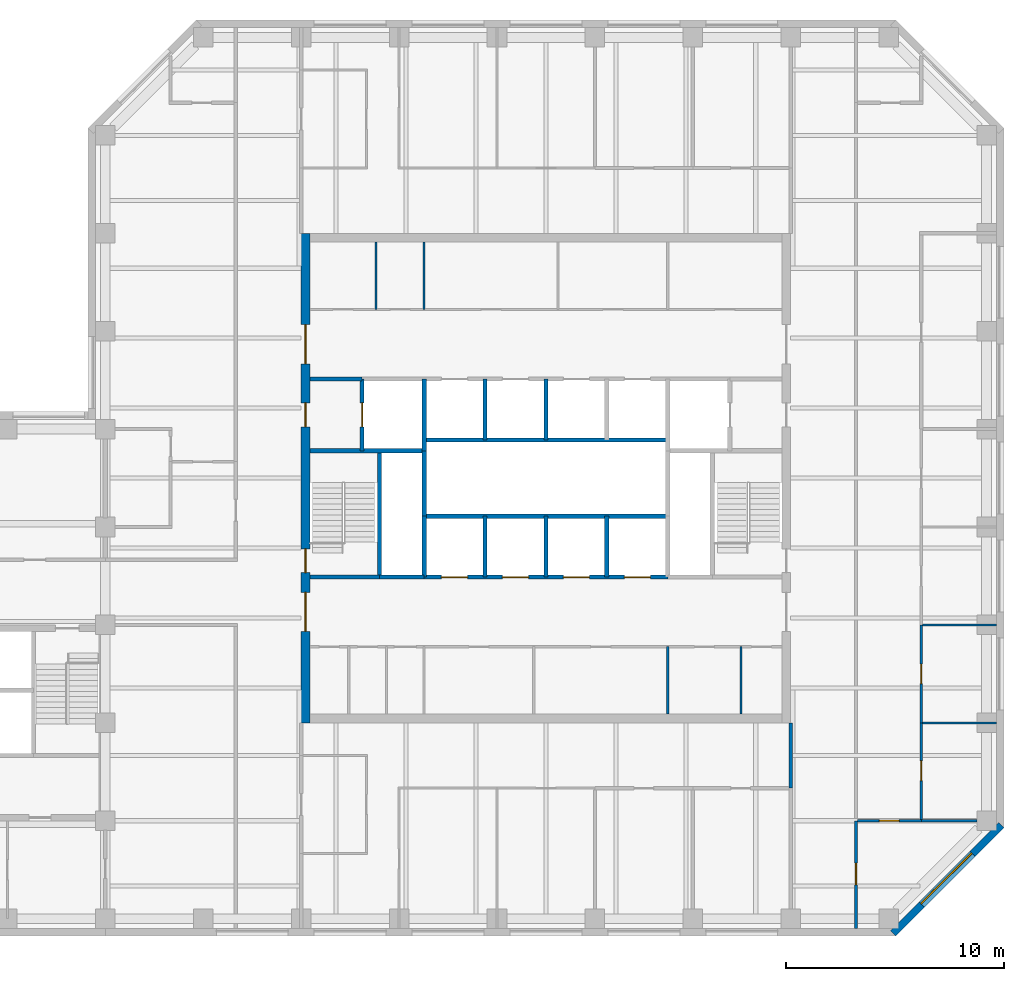
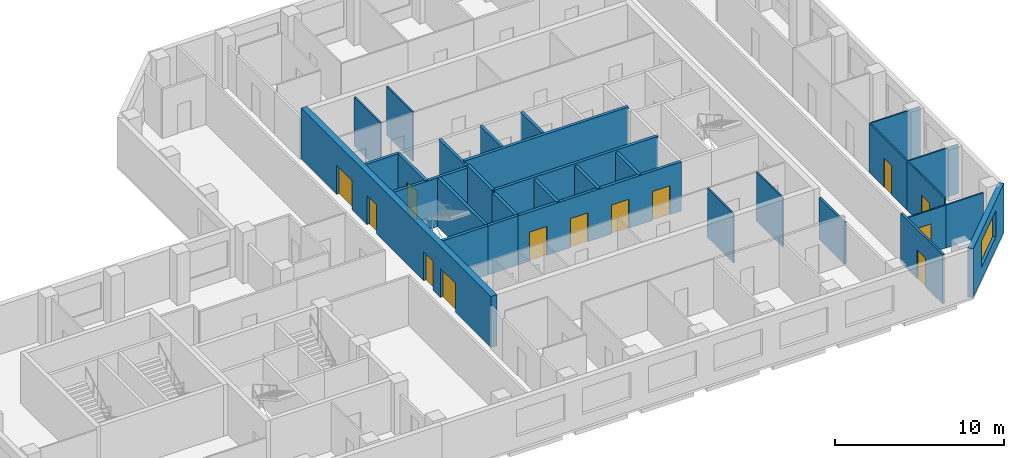
# One storey, part 5 of 9: 31 walls, 13 doors, 1 window, 14 openings.
"""IFC4 building model written with IfcOpenShell, lengths in metres."""

from ifc_helpers import new_model, si_unit, direction, frame, frame_2d, origin, place, context, subcontext, project, spatial, rectangle, extrude, material, layer, layer_set, constituent, constituent_set, type_object, element, fill, save


model = new_model("IFC4")

# Units and contexts
model_context = context("Model", 3, precision=1e-05, world=origin(), true_north=direction((0.0, 1.0)))
body_context = subcontext(model_context, "Body", "Model", "MODEL_VIEW")
ifc_project = project(units=[si_unit("LENGTHUNIT", "METRE"), si_unit("AREAUNIT", "SQUARE_METRE"), si_unit("VOLUMEUNIT", "CUBIC_METRE"), si_unit("PLANEANGLEUNIT", "RADIAN"), si_unit("MASSUNIT", "GRAM", prefix="KILO")], contexts=[model_context])

# Site, building, storey
site_placement = place(None, origin())
site = spatial("IfcSite", under=ifc_project, at=site_placement, CompositionType="ELEMENT")
building_placement = place(site_placement, origin())
building = spatial("IfcBuilding", under=site, at=building_placement, Name="Quoin Convention Tower", CompositionType="ELEMENT")
storey_placement = place(building_placement, frame((0.0, 0.0, 151.39990234375)))
storey = spatial("IfcBuildingStorey", under=building, at=storey_placement, Name="L39", CompositionType="ELEMENT", Elevation=151.39990234375)

# Wall, opening, window
ifc_material_1 = material(Name="Brick masonry", Category="masonry")
ifc_layer_1 = layer(ifc_material_1, 0.35009765625)
ifc_layer_set_1 = layer_set([ifc_layer_1], Name="Brick masonry")
wall_type_1 = type_object("IfcWallType", Name="Brick facade wall", PredefinedType="STANDARD", material=ifc_layer_set_1)
wall_1_placement = place(storey_placement, frame((72.20751953125, 39.82373046875, 0.0), z_axis=(0.0, 0.0, 1.0), x_axis=(0.707106781187, 0.707106781187, 0.0)))
wall_1 = element("IfcWall", 1, at=wall_1_placement, inside=storey, type_object=wall_type_1, Name="fw-L39-72000_40500", PredefinedType="STANDARD", context=body_context, shape_type="SweptSolid", body=[
    extrude(rectangle(XDim=7.02685546875, YDim=0.35009765625, at=frame_2d((3.513427734375, 0.0))), origin(), (0.0, 0.0, 1.0), 3.525146484375),
])
opening_1_placement = place(wall_1_placement, frame((1.86328125, 0.0, 0.89990234375)))
opening_1 = element("IfcOpeningElement", 2, at=opening_1_placement, cuts=wall_1, Name="Opening W-02", PredefinedType="OPENING", context=body_context, shape_type="SweptSolid", body=[
    extrude(rectangle(XDim=3.300048828125, YDim=1.89990234375, at=frame_2d((1.64990234375, 0.949951171875))), frame((0.0, 0.18505859375, 0.0), z_axis=(0.0, -1.0, 0.0), x_axis=(1.0, 0.0, 0.0)), (0.0, 0.0, 1.0), 0.3701171875),
])
ifc_material_2 = material(Name="Aluminium", Category="aluminium")
ifc_constituent_1 = constituent(ifc_material_2, Name="Frame")
ifc_material_3 = material(Name="Insulated glass", Category="glass")
ifc_constituent_2 = constituent(ifc_material_3, Name="Glazing")
ifc_constituent_set = constituent_set(constituents=[ifc_constituent_1, ifc_constituent_2], Name="Aluminium")
window_type = type_object("IfcWindowType", Name="Office window", PartitioningType="DOUBLE_PANEL_VERTICAL", PredefinedType="WINDOW", material=ifc_constituent_set)
window_placement = place(opening_1_placement, origin())
window = element("IfcWindow", 3, at=window_placement, inside=storey, type_object=window_type, Name="win-L39-74692_42308", OverallHeight=1.89990234375, OverallWidth=3.300048828125, PartitioningType="SINGLE_PANEL", PredefinedType="WINDOW", context=body_context, shape_type="SweptSolid", body=[
    extrude(rectangle(XDim=3.300048828125, YDim=1.89990234375, at=frame_2d((1.64990234375, 0.949951171875))), frame((0.0, 0.0849609375, 0.0), z_axis=(0.0, -1.0, 0.0), x_axis=(1.0, 0.0, 0.0)), (0.0, 0.0, 1.0), 0.06005859375),
])
fill(opening_1, window)

# Walls
ifc_material_4 = material(Name="Plasterboard")
ifc_layer_2 = layer(ifc_material_4, 0.012451171875, Name="Finish")
ifc_material_5 = material(Name="Steel stud framing", Category="steel")
ifc_layer_3 = layer(ifc_material_5, 0.074951171875, Name="Structure")
ifc_layer_4 = layer(ifc_material_4, 0.012451171875, Name="Finish")
ifc_layer_set_2 = layer_set([ifc_layer_2, ifc_layer_3, ifc_layer_4], Name="Steel stud framing")
wall_type_2 = type_object("IfcWallType", Name="Core partition wall", PredefinedType="PARTITIONING", material=ifc_layer_set_2)
for number, where, z_axis, x_axis, name in (
    (4, (48.445068359375, 68.5, 0.0), (0.0, 0.0, 1.0), (0.0, 1.0, 0.0), "cr-C1-L39-v3445_19000"),
    (5, (50.64990234375, 68.5, 0.0), (0.0, 0.0, 1.0), (0.0, 1.0, 0.0), "cr-C1-L39-v5650_19000"),
    (6, (61.85009765625, 49.89990234375, 0.0), (0.0, 0.0, 1.0), (0.0, 1.0, 0.0), "cr-C1-L39-v16850_400"),
    (7, (65.2099609375, 49.89990234375, 0.0), (0.0, 0.0, 1.0), (0.0, 1.0, 0.0), "cr-C1-L39-v20210_400"),
):
    element("IfcWall", number, at=place(storey_placement, frame(where, z_axis=z_axis, x_axis=x_axis)), inside=storey, type_object=wall_type_2, Name=name, PredefinedType="PARTITIONING", context=body_context, shape_type="SweptSolid", body=[
        extrude(rectangle(XDim=3.10009765625, YDim=0.10009765625, at=frame_2d((1.550048828125, 0.0))), origin(), (0.0, 0.0, 1.0), 3.550048828125),
    ])
ifc_material_6 = material(Name="Concrete C50", Category="concrete")
ifc_layer_5 = layer(ifc_material_6, 0.199951171875)
ifc_layer_set_3 = layer_set([ifc_layer_5], Name="Concrete C50")
wall_type_3 = type_object("IfcWallType", Name="Core shaft wall", PredefinedType="SOLIDWALL", material=ifc_layer_set_3)
wall_2_placement = place(storey_placement, frame((48.60009765625, 56.199951171875, 0.0), z_axis=(0.0, 0.0, 1.0), x_axis=(1.0, 0.0, 0.0)))
element("IfcWall", 8, at=wall_2_placement, inside=storey, type_object=wall_type_3, Name="cr-C1-L39-h6700_3600", PredefinedType="SOLIDWALL", context=body_context, shape_type="SweptSolid", body=[
    extrude(rectangle(XDim=2.0498046875, YDim=0.199951171875, at=frame_2d((1.02490234375, 0.0))), origin(), (0.0, 0.0, 1.0), 3.550048828125),
])
wall_3_placement = place(storey_placement, frame((45.39990234375, 56.199951171875, 0.0), z_axis=(0.0, 0.0, 1.0), x_axis=(1.0, 0.0, 0.0)))
element("IfcWall", 9, at=wall_3_placement, inside=storey, type_object=wall_type_3, Name="cr-C1-L39-h6700_400", PredefinedType="SOLIDWALL", context=body_context, shape_type="SweptSolid", body=[
    extrude(rectangle(XDim=3.2001953125, YDim=0.199951171875, at=frame_2d((1.60009765625, 0.0))), origin(), (0.0, 0.0, 1.0), 3.550048828125),
])

# Wall, openings, doors
wall_4_placement = place(storey_placement, frame((50.64990234375, 56.199951171875, 0.0), z_axis=(0.0, 0.0, 1.0), x_axis=(1.0, 0.0, 0.0)))
wall_4 = element("IfcWall", 10, at=wall_4_placement, inside=storey, type_object=wall_type_3, Name="cr-C1-L39-h6700_5650", PredefinedType="SOLIDWALL", context=body_context, shape_type="SweptSolid", body=[
    extrude(rectangle(XDim=11.2001953125, YDim=0.199951171875, at=frame_2d((5.60009765625, 0.0))), origin(), (0.0, 0.0, 1.0), 3.550048828125),
])
opening_2_placement = place(wall_4_placement, frame((0.800048828125, 0.0, 0.0)))
opening_2 = element("IfcOpeningElement", 11, at=opening_2_placement, cuts=wall_4, Name="Opening LDH1", PredefinedType="OPENING", context=body_context, shape_type="SweptSolid", body=[
    extrude(rectangle(XDim=1.199951171875, YDim=2.10009765625, at=frame_2d((0.60009765625, 1.050048828125))), frame((0.0, 0.10986328125, 0.0), z_axis=(0.0, -1.0, 0.0), x_axis=(1.0, 0.0, 0.0)), (0.0, 0.0, 1.0), 0.219970703125),
])
opening_3_placement = place(wall_4_placement, frame((3.60009765625, 0.0, 0.0)))
opening_3 = element("IfcOpeningElement", 12, at=opening_3_placement, cuts=wall_4, Name="Opening LDH2", PredefinedType="OPENING", context=body_context, shape_type="SweptSolid", body=[
    extrude(rectangle(XDim=1.199951171875, YDim=2.10009765625, at=frame_2d((0.60009765625, 1.050048828125))), frame((0.0, 0.10986328125, 0.0), z_axis=(0.0, -1.0, 0.0), x_axis=(1.0, 0.0, 0.0)), (0.0, 0.0, 1.0), 0.219970703125),
])
opening_4_placement = place(wall_4_placement, frame((6.39990234375, 0.0, 0.0)))
opening_4 = element("IfcOpeningElement", 13, at=opening_4_placement, cuts=wall_4, Name="Opening LDH3", PredefinedType="OPENING", context=body_context, shape_type="SweptSolid", body=[
    extrude(rectangle(XDim=1.199951171875, YDim=2.10009765625, at=frame_2d((0.60009765625, 1.050048828125))), frame((0.0, 0.10986328125, 0.0), z_axis=(0.0, -1.0, 0.0), x_axis=(1.0, 0.0, 0.0)), (0.0, 0.0, 1.0), 0.219970703125),
])
opening_5_placement = place(wall_4_placement, frame((9.199951171875, 0.0, 0.0)))
opening_5 = element("IfcOpeningElement", 14, at=opening_5_placement, cuts=wall_4, Name="Opening LDH4", PredefinedType="OPENING", context=body_context, shape_type="SweptSolid", body=[
    extrude(rectangle(XDim=1.199951171875, YDim=2.10009765625, at=frame_2d((0.60009765625, 1.050048828125))), frame((0.0, 0.10986328125, 0.0), z_axis=(0.0, -1.0, 0.0), x_axis=(1.0, 0.0, 0.0)), (0.0, 0.0, 1.0), 0.219970703125),
])
ifc_material_7 = material(Name="Steel door leaf", Category="steel")
door_type_1 = type_object("IfcDoorType", Name="Lift landing door 1200 x 2100", OperationType="DOUBLE_DOOR_SLIDING", PredefinedType="DOOR", material=ifc_material_7)
door_1_placement = place(opening_2_placement, origin())
door_1 = element("IfcDoor", 15, at=door_1_placement, inside=storey, type_object=door_type_1, Name="cd-C1-L39-R20-lobA-LDH1", OperationType="DOUBLE_DOOR_SLIDING", OverallHeight=2.10009765625, OverallWidth=1.199951171875, PredefinedType="DOOR", context=body_context, shape_type="SweptSolid", body=[
    extrude(rectangle(XDim=1.199951171875, YDim=2.10009765625, at=frame_2d((0.60009765625, 1.050048828125))), frame((0.0, 0.02490234375, 0.0), z_axis=(0.0, -1.0, 0.0), x_axis=(1.0, 0.0, 0.0)), (0.0, 0.0, 1.0), 0.050048828125),
])
fill(opening_2, door_1)
door_2_placement = place(opening_3_placement, origin())
door_2 = element("IfcDoor", 16, at=door_2_placement, inside=storey, type_object=door_type_1, Name="cd-C1-L39-R21-lobA-LDH2", OperationType="DOUBLE_DOOR_SLIDING", OverallHeight=2.10009765625, OverallWidth=1.199951171875, PredefinedType="DOOR", context=body_context, shape_type="SweptSolid", body=[
    extrude(rectangle(XDim=1.199951171875, YDim=2.10009765625, at=frame_2d((0.60009765625, 1.050048828125))), frame((0.0, 0.02490234375, 0.0), z_axis=(0.0, -1.0, 0.0), x_axis=(1.0, 0.0, 0.0)), (0.0, 0.0, 1.0), 0.050048828125),
])
fill(opening_3, door_2)
door_3_placement = place(opening_4_placement, origin())
door_3 = element("IfcDoor", 17, at=door_3_placement, inside=storey, type_object=door_type_1, Name="cd-C1-L39-R22-lobA-LDH3", OperationType="DOUBLE_DOOR_SLIDING", OverallHeight=2.10009765625, OverallWidth=1.199951171875, PredefinedType="DOOR", context=body_context, shape_type="SweptSolid", body=[
    extrude(rectangle(XDim=1.199951171875, YDim=2.10009765625, at=frame_2d((0.60009765625, 1.050048828125))), frame((0.0, 0.02490234375, 0.0), z_axis=(0.0, -1.0, 0.0), x_axis=(1.0, 0.0, 0.0)), (0.0, 0.0, 1.0), 0.050048828125),
])
fill(opening_4, door_3)
door_4_placement = place(opening_5_placement, origin())
door_4 = element("IfcDoor", 18, at=door_4_placement, inside=storey, type_object=door_type_1, Name="cd-C1-L39-R23-lobA-LDH4", OperationType="DOUBLE_DOOR_SLIDING", OverallHeight=2.10009765625, OverallWidth=1.199951171875, PredefinedType="DOOR", context=body_context, shape_type="SweptSolid", body=[
    extrude(rectangle(XDim=1.199951171875, YDim=2.10009765625, at=frame_2d((0.60009765625, 1.050048828125))), frame((0.0, 0.02490234375, 0.0), z_axis=(0.0, -1.0, 0.0), x_axis=(1.0, 0.0, 0.0)), (0.0, 0.0, 1.0), 0.050048828125),
])
fill(opening_5, door_4)

# Walls
wall_5_placement = place(storey_placement, frame((45.39990234375, 62.0, 0.0), z_axis=(0.0, 0.0, 1.0), x_axis=(1.0, 0.0, 0.0)))
element("IfcWall", 19, at=wall_5_placement, inside=storey, type_object=wall_type_3, Name="cr-C1-L39-h12500_400", PredefinedType="SOLIDWALL", context=body_context, shape_type="SweptSolid", body=[
    extrude(rectangle(XDim=5.25, YDim=0.199951171875, at=frame_2d((2.625, 0.0))), origin(), (0.0, 0.0, 1.0), 3.550048828125),
])
wall_6_placement = place(storey_placement, frame((45.39990234375, 65.300048828125, 0.0), z_axis=(0.0, 0.0, 1.0), x_axis=(1.0, 0.0, 0.0)))
element("IfcWall", 20, at=wall_6_placement, inside=storey, type_object=wall_type_3, Name="cr-C1-L39-h15800_400", PredefinedType="SOLIDWALL", context=body_context, shape_type="SweptSolid", body=[
    extrude(rectangle(XDim=2.400146484375, YDim=0.199951171875, at=frame_2d((1.2001953125, 0.0))), origin(), (0.0, 0.0, 1.0), 3.550048828125),
])

# Wall, opening, door
wall_7_placement = place(storey_placement, frame((47.800048828125, 62.0, 0.0), z_axis=(0.0, 0.0, 1.0), x_axis=(0.0, 1.0, 0.0)))
wall_7 = element("IfcWall", 21, at=wall_7_placement, inside=storey, type_object=wall_type_3, Name="cr-C1-L39-v2800_12500", PredefinedType="SOLIDWALL", context=body_context, shape_type="SweptSolid", body=[
    extrude(rectangle(XDim=3.300048828125, YDim=0.199951171875, at=frame_2d((1.64990234375, 0.0))), origin(), (0.0, 0.0, 1.0), 3.550048828125),
])
opening_6_placement = place(wall_7_placement, frame((1.10009765625, 0.0, 0.0)))
opening_6 = element("IfcOpeningElement", 22, at=opening_6_placement, cuts=wall_7, Name="Opening LDFL1", PredefinedType="OPENING", context=body_context, shape_type="SweptSolid", body=[
    extrude(rectangle(XDim=1.10009765625, YDim=2.10009765625, at=frame_2d((0.550048828125, 1.050048828125))), frame((0.0, 0.10986328125, 0.0), z_axis=(0.0, -1.0, 0.0), x_axis=(1.0, 0.0, 0.0)), (0.0, 0.0, 1.0), 0.219970703125),
])
door_type_2 = type_object("IfcDoorType", Name="Lift landing door 1100 x 2100", OperationType="DOUBLE_DOOR_SLIDING", PredefinedType="DOOR", material=ifc_material_7)
door_5_placement = place(opening_6_placement, origin())
door_5 = element("IfcDoor", 23, at=door_5_placement, inside=storey, type_object=door_type_2, Name="cd-C1-L39-FLW-FFW-LDFL1", OperationType="DOUBLE_DOOR_SLIDING", OverallHeight=2.10009765625, OverallWidth=1.10009765625, PredefinedType="DOOR", context=body_context, shape_type="SweptSolid", body=[
    extrude(rectangle(XDim=1.10009765625, YDim=2.10009765625, at=frame_2d((0.550048828125, 1.050048828125))), frame((0.0, 0.02490234375, 0.0), z_axis=(0.0, -1.0, 0.0), x_axis=(1.0, 0.0, 0.0)), (0.0, 0.0, 1.0), 0.050048828125),
])
fill(opening_6, door_5)

# Walls
wall_8_placement = place(storey_placement, frame((48.60009765625, 56.199951171875, 0.0), z_axis=(0.0, 0.0, 1.0), x_axis=(0.0, 1.0, 0.0)))
element("IfcWall", 24, at=wall_8_placement, inside=storey, type_object=wall_type_3, Name="cr-C1-L39-v3600_6700", PredefinedType="SOLIDWALL", context=body_context, shape_type="SweptSolid", body=[
    extrude(rectangle(XDim=5.800048828125, YDim=0.199951171875, at=frame_2d((2.89990234375, 0.0))), origin(), (0.0, 0.0, 1.0), 3.550048828125),
])
wall_9_placement = place(storey_placement, frame((50.64990234375, 56.199951171875, 0.0), z_axis=(0.0, 0.0, 1.0), x_axis=(0.0, 1.0, 0.0)))
element("IfcWall", 25, at=wall_9_placement, inside=storey, type_object=wall_type_3, Name="cr-C1-L39-v5650_6700", PredefinedType="SOLIDWALL", context=body_context, shape_type="SweptSolid", body=[
    extrude(rectangle(XDim=2.800048828125, YDim=0.199951171875, at=frame_2d((1.39990234375, 0.0))), origin(), (0.0, 0.0, 1.0), 3.550048828125),
])
wall_10_placement = place(storey_placement, frame((50.64990234375, 62.0, 0.0), z_axis=(0.0, 0.0, 1.0), x_axis=(0.0, 1.0, 0.0)))
element("IfcWall", 26, at=wall_10_placement, inside=storey, type_object=wall_type_3, Name="cr-C1-L39-v5650_12500", PredefinedType="SOLIDWALL", context=body_context, shape_type="SweptSolid", body=[
    extrude(rectangle(XDim=3.300048828125, YDim=0.199951171875, at=frame_2d((1.64990234375, 0.0))), origin(), (0.0, 0.0, 1.0), 3.550048828125),
])
for number, where, z_axis, x_axis, name in (
    (27, (53.449951171875, 56.199951171875, 0.0), (0.0, 0.0, 1.0), (0.0, 1.0, 0.0), "cr-C1-L39-v8450_6700"),
    (28, (53.449951171875, 62.5, 0.0), (0.0, 0.0, 1.0), (0.0, 1.0, 0.0), "cr-C1-L39-v8450_13000"),
    (29, (56.25, 56.199951171875, 0.0), (0.0, 0.0, 1.0), (0.0, 1.0, 0.0), "cr-C1-L39-v11250_6700"),
    (30, (56.25, 62.5, 0.0), (0.0, 0.0, 1.0), (0.0, 1.0, 0.0), "cr-C1-L39-v11250_13000"),
    (31, (59.050048828125, 56.199951171875, 0.0), (0.0, 0.0, 1.0), (0.0, 1.0, 0.0), "cr-C1-L39-v14050_6700"),
):
    element("IfcWall", number, at=place(storey_placement, frame(where, z_axis=z_axis, x_axis=x_axis)), inside=storey, type_object=wall_type_3, Name=name, PredefinedType="SOLIDWALL", context=body_context, shape_type="SweptSolid", body=[
        extrude(rectangle(XDim=2.800048828125, YDim=0.199951171875, at=frame_2d((1.39990234375, 0.0))), origin(), (0.0, 0.0, 1.0), 3.550048828125),
    ])
ifc_layer_6 = layer(ifc_material_6, 0.199951171875)
ifc_layer_set_4 = layer_set([ifc_layer_6], Name="Concrete C50")
wall_type_4 = type_object("IfcWallType", Name="Core shaft wall to the floor level over", PredefinedType="SOLIDWALL", material=ifc_layer_set_4)
for number, where, z_axis, x_axis, name in (
    (32, (50.64990234375, 59.0, 0.0), (0.0, 0.0, 1.0), (1.0, 0.0, 0.0), "cr-C1-L39-h9500_5650"),
    (33, (50.64990234375, 62.5, 0.0), (0.0, 0.0, 1.0), (1.0, 0.0, 0.0), "cr-C1-L39-h13000_5650"),
):
    element("IfcWall", number, at=place(storey_placement, frame(where, z_axis=z_axis, x_axis=x_axis)), inside=storey, type_object=wall_type_4, Name=name, PredefinedType="SOLIDWALL", context=body_context, shape_type="SweptSolid", body=[
        extrude(rectangle(XDim=11.2001953125, YDim=0.199951171875, at=frame_2d((5.60009765625, 0.0))), origin(), (0.0, 0.0, 1.0), 3.7001953125),
    ])
wall_11_placement = place(storey_placement, frame((50.64990234375, 59.0, 0.0), z_axis=(0.0, 0.0, 1.0), x_axis=(0.0, 1.0, 0.0)))
element("IfcWall", 34, at=wall_11_placement, inside=storey, type_object=wall_type_4, Name="cr-C1-L39-v5650_9500", PredefinedType="SOLIDWALL", context=body_context, shape_type="SweptSolid", body=[
    extrude(rectangle(XDim=3.0, YDim=0.199951171875, at=frame_2d((1.5, 0.0))), origin(), (0.0, 0.0, 1.0), 3.7001953125),
])

# Wall, opening, door
ifc_layer_7 = layer(ifc_material_4, 0.012451171875, Name="Finish")
ifc_layer_8 = layer(ifc_material_5, 0.125, Name="Structure")
ifc_layer_9 = layer(ifc_material_4, 0.012451171875, Name="Finish")
ifc_layer_set_5 = layer_set([ifc_layer_7, ifc_layer_8, ifc_layer_9], Name="Steel stud framing")
wall_type_5 = type_object("IfcWallType", Name="Corridor wall 150", PredefinedType="PARTITIONING", material=ifc_layer_set_5)
wall_12_placement = place(storey_placement, frame((70.5, 40.050048828125, 0.0), z_axis=(0.0, 0.0, 1.0), x_axis=(0.0, 1.0, 0.0)))
wall_12 = element("IfcWall", 35, at=wall_12_placement, inside=storey, type_object=wall_type_5, Name="pw-L39-047", PredefinedType="PARTITIONING", context=body_context, shape_type="SweptSolid", body=[
    extrude(rectangle(XDim=4.949951171875, YDim=0.14990234375, at=frame_2d((2.47509765625, 0.0))), origin(), (0.0, 0.0, 1.0), 3.550048828125),
])
opening_7_placement = place(wall_12_placement, frame((2.0, 0.0, 0.0)))
opening_7 = element("IfcOpeningElement", 36, at=opening_7_placement, cuts=wall_12, Name="Opening DOH1-13", PredefinedType="OPENING", context=body_context, shape_type="SweptSolid", body=[
    extrude(rectangle(XDim=1.0, YDim=2.10009765625, at=frame_2d((0.5, 1.050048828125))), frame((0.0, 0.0849609375, 0.0), z_axis=(0.0, -1.0, 0.0), x_axis=(1.0, 0.0, 0.0)), (0.0, 0.0, 1.0), 0.169921875),
])
door_type_3 = type_object("IfcDoorType", Name="Tenancy entrance door 1000 x 2100", OperationType="DOUBLE_DOOR_SINGLE_SWING", PredefinedType="DOOR", material=ifc_material_7)
door_6_placement = place(opening_7_placement, frame((1.0, 0.0, 0.0), z_axis=(0.0, 0.0, 1.0), x_axis=(-1.0, 0.0, 0.0)))
door_6 = element("IfcDoor", 37, at=door_6_placement, inside=storey, type_object=door_type_3, Name="dr-L39-28", OperationType="DOUBLE_DOOR_SINGLE_SWING", OverallHeight=2.10009765625, OverallWidth=1.0, PredefinedType="DOOR", context=body_context, shape_type="SweptSolid", body=[
    extrude(rectangle(XDim=1.0, YDim=2.10009765625, at=frame_2d((0.5, 1.050048828125))), frame((0.0, 0.02490234375, 0.0), z_axis=(0.0, -1.0, 0.0), x_axis=(1.0, 0.0, 0.0)), (0.0, 0.0, 1.0), 0.050048828125),
])
fill(opening_7, door_6)

# Wall
ifc_layer_10 = layer(ifc_material_4, 0.012451171875, Name="Finish")
ifc_layer_11 = layer(ifc_material_5, 0.125, Name="Structure")
ifc_layer_12 = layer(ifc_material_4, 0.012451171875, Name="Finish")
ifc_layer_set_6 = layer_set([ifc_layer_10, ifc_layer_11, ifc_layer_12], Name="Steel stud framing")
wall_type_6 = type_object("IfcWallType", Name="Corridor wall 150 under beam 528", PredefinedType="PARTITIONING", material=ifc_layer_set_6)
wall_13_placement = place(storey_placement, frame((67.5, 46.5, 0.0), z_axis=(0.0, 0.0, 1.0), x_axis=(0.0, 1.0, 0.0)))
element("IfcWall", 38, at=wall_13_placement, inside=storey, type_object=wall_type_6, Name="pw-L39-056", PredefinedType="PARTITIONING", context=body_context, shape_type="SweptSolid", body=[
    extrude(rectangle(XDim=3.0, YDim=0.14990234375, at=frame_2d((1.5, 0.0))), origin(), (0.0, 0.0, 1.0), 3.022216796875),
])

# Wall, openings, doors
ifc_layer_13 = layer(ifc_material_6, 0.39990234375)
ifc_layer_set_7 = layer_set([ifc_layer_13], Name="Concrete C50")
wall_type_7 = type_object("IfcWallType", Name="RC CORE WALL 400 C50", PredefinedType="SHEAR", material=ifc_layer_set_7)
wall_14_placement = place(storey_placement, frame((45.199951171875, 49.5, 0.0), z_axis=(0.0, 0.0, 1.0), x_axis=(0.0, 1.0, 0.0)))
wall_14 = element("IfcWall", 39, at=wall_14_placement, inside=storey, type_object=wall_type_7, Name="cwl-C1-L39-W", PredefinedType="SHEAR", context=body_context, shape_type="SweptSolid", body=[
    extrude(rectangle(XDim=22.5, YDim=0.39990234375, at=frame_2d((11.25, 0.0))), origin(), (0.0, 0.0, 1.0), 3.7001953125),
])
opening_8_placement = place(wall_14_placement, frame((4.199951171875, 0.0, 0.0)))
opening_8 = element("IfcOpeningElement", 40, at=opening_8_placement, cuts=wall_14, Name="Opening DCV1-49", PredefinedType="OPENING", context=body_context, shape_type="SweptSolid", body=[
    extrude(rectangle(XDim=1.800048828125, YDim=2.10009765625, at=frame_2d((0.89990234375, 1.050048828125))), frame((0.0, 0.2099609375, 0.0), z_axis=(0.0, -1.0, 0.0), x_axis=(1.0, 0.0, 0.0)), (0.0, 0.0, 1.0), 0.419921875),
])
opening_9_placement = place(wall_14_placement, frame((6.89990234375, 0.0, 0.0)))
opening_9 = element("IfcOpeningElement", 41, at=opening_9_placement, cuts=wall_14, Name="Opening SD1", PredefinedType="OPENING", context=body_context, shape_type="SweptSolid", body=[
    extrude(rectangle(XDim=1.10009765625, YDim=2.10009765625, at=frame_2d((0.550048828125, 1.050048828125))), frame((0.0, 0.2099609375, 0.0), z_axis=(0.0, -1.0, 0.0), x_axis=(1.0, 0.0, 0.0)), (0.0, 0.0, 1.0), 0.419921875),
])
opening_10_placement = place(wall_14_placement, frame((13.60009765625, 0.0, 0.0)))
opening_10 = element("IfcOpeningElement", 42, at=opening_10_placement, cuts=wall_14, Name="Opening DCV1-48", PredefinedType="OPENING", context=body_context, shape_type="SweptSolid", body=[
    extrude(rectangle(XDim=1.10009765625, YDim=2.10009765625, at=frame_2d((0.550048828125, 1.050048828125))), frame((0.0, 0.2099609375, 0.0), z_axis=(0.0, -1.0, 0.0), x_axis=(1.0, 0.0, 0.0)), (0.0, 0.0, 1.0), 0.419921875),
])
opening_11_placement = place(wall_14_placement, frame((16.5, 0.0, 0.0)))
opening_11 = element("IfcOpeningElement", 43, at=opening_11_placement, cuts=wall_14, Name="Opening DCV1-49", PredefinedType="OPENING", context=body_context, shape_type="SweptSolid", body=[
    extrude(rectangle(XDim=1.800048828125, YDim=2.10009765625, at=frame_2d((0.89990234375, 1.050048828125))), frame((0.0, 0.2099609375, 0.0), z_axis=(0.0, -1.0, 0.0), x_axis=(1.0, 0.0, 0.0)), (0.0, 0.0, 1.0), 0.419921875),
])
door_type_4 = type_object("IfcDoorType", Name="Fire-fighting lobby door 1100 x 2100", OperationType="SINGLE_SWING_LEFT", PredefinedType="DOOR", material=ifc_material_7)
door_7_placement = place(opening_10_placement, frame((1.10009765625, 0.0, 0.0), z_axis=(0.0, 0.0, 1.0), x_axis=(-1.0, 0.0, 0.0)))
door_7 = element("IfcDoor", 44, at=door_7_placement, inside=storey, type_object=door_type_4, Name="cd-C1-L39-FFW-W", OperationType="SINGLE_SWING_LEFT", OverallHeight=2.10009765625, OverallWidth=1.10009765625, PredefinedType="DOOR", context=body_context, shape_type="SweptSolid", body=[
    extrude(rectangle(XDim=1.10009765625, YDim=2.10009765625, at=frame_2d((0.550048828125, 1.050048828125))), frame((0.0, 0.02490234375, 0.0), z_axis=(0.0, -1.0, 0.0), x_axis=(1.0, 0.0, 0.0)), (0.0, 0.0, 1.0), 0.050048828125),
])
fill(opening_10, door_7)
door_type_5 = type_object("IfcDoorType", Name="Lift lobby door 1800 x 2100", OperationType="SINGLE_SWING_LEFT", PredefinedType="DOOR", material=ifc_material_7)
door_8_placement = place(opening_8_placement, frame((1.800048828125, 0.0, 0.0), z_axis=(0.0, 0.0, 1.0), x_axis=(-1.0, 0.0, 0.0)))
door_8 = element("IfcDoor", 45, at=door_8_placement, inside=storey, type_object=door_type_5, Name="cd-C1-L39-lobA-W", OperationType="SINGLE_SWING_LEFT", OverallHeight=2.10009765625, OverallWidth=1.800048828125, PredefinedType="DOOR", context=body_context, shape_type="SweptSolid", body=[
    extrude(rectangle(XDim=1.800048828125, YDim=2.10009765625, at=frame_2d((0.89990234375, 1.050048828125))), frame((0.0, 0.02490234375, 0.0), z_axis=(0.0, -1.0, 0.0), x_axis=(1.0, 0.0, 0.0)), (0.0, 0.0, 1.0), 0.050048828125),
])
fill(opening_8, door_8)
door_9_placement = place(opening_11_placement, frame((1.800048828125, 0.0, 0.0), z_axis=(0.0, 0.0, 1.0), x_axis=(-1.0, 0.0, 0.0)))
door_9 = element("IfcDoor", 46, at=door_9_placement, inside=storey, type_object=door_type_5, Name="cd-C1-L39-lobB-W", OperationType="SINGLE_SWING_LEFT", OverallHeight=2.10009765625, OverallWidth=1.800048828125, PredefinedType="DOOR", context=body_context, shape_type="SweptSolid", body=[
    extrude(rectangle(XDim=1.800048828125, YDim=2.10009765625, at=frame_2d((0.89990234375, 1.050048828125))), frame((0.0, 0.02490234375, 0.0), z_axis=(0.0, -1.0, 0.0), x_axis=(1.0, 0.0, 0.0)), (0.0, 0.0, 1.0), 0.050048828125),
])
fill(opening_11, door_9)
door_type_6 = type_object("IfcDoorType", Name="Stair door 1100 x 2100", OperationType="SINGLE_SWING_RIGHT", PredefinedType="DOOR", material=ifc_material_7)
door_10_placement = place(opening_9_placement, frame((1.10009765625, 0.0, 0.0), z_axis=(0.0, 0.0, 1.0), x_axis=(-1.0, 0.0, 0.0)))
door_10 = element("IfcDoor", 47, at=door_10_placement, inside=storey, type_object=door_type_6, Name="cd-C1-L39-STW-W", OperationType="SINGLE_SWING_RIGHT", OverallHeight=2.10009765625, OverallWidth=1.10009765625, PredefinedType="DOOR", context=body_context, shape_type="SweptSolid", body=[
    extrude(rectangle(XDim=1.10009765625, YDim=2.10009765625, at=frame_2d((0.550048828125, 1.050048828125))), frame((0.0, 0.02490234375, 0.0), z_axis=(0.0, -1.0, 0.0), x_axis=(1.0, 0.0, 0.0)), (0.0, 0.0, 1.0), 0.050048828125),
])
fill(opening_9, door_10)

# Walls
ifc_layer_14 = layer(ifc_material_4, 0.012451171875, Name="Finish")
ifc_layer_15 = layer(ifc_material_5, 0.074951171875, Name="Structure")
ifc_layer_16 = layer(ifc_material_4, 0.012451171875, Name="Finish")
ifc_layer_set_8 = layer_set([ifc_layer_14, ifc_layer_15, ifc_layer_16], Name="Steel stud framing")
wall_type_8 = type_object("IfcWallType", Name="Stud partition 100", PredefinedType="PARTITIONING", material=ifc_layer_set_8)
for number, where, z_axis, x_axis, name in (
    (48, (73.550048828125, 49.5, 0.0), (0.0, 0.0, 1.0), (1.0, 0.0, 0.0), "pw-L39-013"),
    (49, (73.550048828125, 54.0, 0.0), (0.0, 0.0, 1.0), (1.0, 0.0, 0.0), "pw-L39-017"),
):
    element("IfcWall", number, at=place(storey_placement, frame(where, z_axis=z_axis, x_axis=x_axis)), inside=storey, type_object=wall_type_8, Name=name, PredefinedType="PARTITIONING", context=body_context, shape_type="SweptSolid", body=[
        extrude(rectangle(XDim=3.39990234375, YDim=0.10009765625, at=frame_2d((1.699951171875, 0.0))), origin(), (0.0, 0.0, 1.0), 3.550048828125),
    ])

# Wall, opening, door
wall_15_placement = place(storey_placement, frame((73.5, 45.050048828125, 0.0), z_axis=(0.0, 0.0, 1.0), x_axis=(0.0, 1.0, 0.0)))
wall_15 = element("IfcWall", 50, at=wall_15_placement, inside=storey, type_object=wall_type_8, Name="pw-L39-054", PredefinedType="PARTITIONING", context=body_context, shape_type="SweptSolid", body=[
    extrude(rectangle(XDim=4.449951171875, YDim=0.10009765625, at=frame_2d((2.22509765625, 0.0))), origin(), (0.0, 0.0, 1.0), 3.550048828125),
])
opening_12_placement = place(wall_15_placement, frame((1.800048828125, 0.0, 0.0)))
opening_12 = element("IfcOpeningElement", 51, at=opening_12_placement, cuts=wall_15, Name="Opening DOH1-17", PredefinedType="OPENING", context=body_context, shape_type="SweptSolid", body=[
    extrude(rectangle(XDim=0.89990234375, YDim=2.10009765625, at=frame_2d((0.449951171875, 1.050048828125))), frame((0.0, 0.06005859375, 0.0), z_axis=(0.0, -1.0, 0.0), x_axis=(1.0, 0.0, 0.0)), (0.0, 0.0, 1.0), 0.1201171875),
])
door_type_7 = type_object("IfcDoorType", Name="Office door 900 x 2100", OperationType="SINGLE_SWING_RIGHT", PredefinedType="DOOR", material=ifc_material_7)
door_11_placement = place(opening_12_placement, origin())
door_11 = element("IfcDoor", 52, at=door_11_placement, inside=storey, type_object=door_type_7, Name="dr-L39-30", OperationType="SINGLE_SWING_RIGHT", OverallHeight=2.10009765625, OverallWidth=0.89990234375, PredefinedType="DOOR", context=body_context, shape_type="SweptSolid", body=[
    extrude(rectangle(XDim=0.89990234375, YDim=2.10009765625, at=frame_2d((0.449951171875, 1.050048828125))), frame((0.0, 0.02490234375, 0.0), z_axis=(0.0, -1.0, 0.0), x_axis=(1.0, 0.0, 0.0)), (0.0, 0.0, 1.0), 0.050048828125),
])
fill(opening_12, door_11)

wall_16_placement = place(storey_placement, frame((73.5, 49.5, 0.0), z_axis=(0.0, 0.0, 1.0), x_axis=(0.0, 1.0, 0.0)))
wall_16 = element("IfcWall", 53, at=wall_16_placement, inside=storey, type_object=wall_type_8, Name="pw-L39-060", PredefinedType="PARTITIONING", context=body_context, shape_type="SweptSolid", body=[
    extrude(rectangle(XDim=4.5, YDim=0.10009765625, at=frame_2d((2.25, 0.0))), origin(), (0.0, 0.0, 1.0), 3.550048828125),
])
opening_13_placement = place(wall_16_placement, frame((1.800048828125, 0.0, 0.0)))
opening_13 = element("IfcOpeningElement", 54, at=opening_13_placement, cuts=wall_16, Name="Opening DOH1-18", PredefinedType="OPENING", context=body_context, shape_type="SweptSolid", body=[
    extrude(rectangle(XDim=0.89990234375, YDim=2.10009765625, at=frame_2d((0.449951171875, 1.050048828125))), frame((0.0, 0.06005859375, 0.0), z_axis=(0.0, -1.0, 0.0), x_axis=(1.0, 0.0, 0.0)), (0.0, 0.0, 1.0), 0.1201171875),
])
door_12_placement = place(opening_13_placement, origin())
door_12 = element("IfcDoor", 55, at=door_12_placement, inside=storey, type_object=door_type_7, Name="dr-L39-31", OperationType="SINGLE_SWING_RIGHT", OverallHeight=2.10009765625, OverallWidth=0.89990234375, PredefinedType="DOOR", context=body_context, shape_type="SweptSolid", body=[
    extrude(rectangle(XDim=0.89990234375, YDim=2.10009765625, at=frame_2d((0.449951171875, 1.050048828125))), frame((0.0, 0.02490234375, 0.0), z_axis=(0.0, -1.0, 0.0), x_axis=(1.0, 0.0, 0.0)), (0.0, 0.0, 1.0), 0.050048828125),
])
fill(opening_13, door_12)

ifc_layer_17 = layer(ifc_material_4, 0.012451171875, Name="Finish")
ifc_layer_18 = layer(ifc_material_5, 0.074951171875, Name="Structure")
ifc_layer_19 = layer(ifc_material_4, 0.012451171875, Name="Finish")
ifc_layer_set_9 = layer_set([ifc_layer_17, ifc_layer_18, ifc_layer_19], Name="Steel stud framing")
wall_type_9 = type_object("IfcWallType", Name="Stud partition 100 under beam 454", PredefinedType="PARTITIONING", material=ifc_layer_set_9)
wall_17_placement = place(storey_placement, frame((70.574951171875, 45.0, 0.0), z_axis=(0.0, 0.0, 1.0), x_axis=(1.0, 0.0, 0.0)))
wall_17 = element("IfcWall", 56, at=wall_17_placement, inside=storey, type_object=wall_type_9, Name="pw-L39-004", PredefinedType="PARTITIONING", context=body_context, shape_type="SweptSolid", body=[
    extrude(rectangle(XDim=2.925048828125, YDim=0.10009765625, at=frame_2d((1.46240234375, 0.0))), origin(), (0.0, 0.0, 1.0), 3.09619140625),
])
opening_14_placement = place(wall_17_placement, frame((1.0, 0.0, 0.0)))
opening_14 = element("IfcOpeningElement", 57, at=opening_14_placement, cuts=wall_17, Name="Opening DOH1-01", PredefinedType="OPENING", context=body_context, shape_type="SweptSolid", body=[
    extrude(rectangle(XDim=0.89990234375, YDim=2.10009765625, at=frame_2d((0.449951171875, 1.050048828125))), frame((0.0, 0.06005859375, 0.0), z_axis=(0.0, -1.0, 0.0), x_axis=(1.0, 0.0, 0.0)), (0.0, 0.0, 1.0), 0.1201171875),
])
door_13_placement = place(opening_14_placement, origin())
door_13 = element("IfcDoor", 58, at=door_13_placement, inside=storey, type_object=door_type_7, Name="dr-L39-29", OperationType="SINGLE_SWING_RIGHT", OverallHeight=2.10009765625, OverallWidth=0.89990234375, PredefinedType="DOOR", context=body_context, shape_type="SweptSolid", body=[
    extrude(rectangle(XDim=0.89990234375, YDim=2.10009765625, at=frame_2d((0.449951171875, 1.050048828125))), frame((0.0, 0.02490234375, 0.0), z_axis=(0.0, -1.0, 0.0), x_axis=(1.0, 0.0, 0.0)), (0.0, 0.0, 1.0), 0.050048828125),
])
fill(opening_14, door_13)

# Wall
wall_18_placement = place(storey_placement, frame((73.5, 45.0, 0.0), z_axis=(0.0, 0.0, 1.0), x_axis=(1.0, 0.0, 0.0)))
element("IfcWall", 59, at=wall_18_placement, inside=storey, type_object=wall_type_9, Name="pw-L39-005", PredefinedType="PARTITIONING", context=body_context, shape_type="SweptSolid", body=[
    extrude(rectangle(XDim=2.550048828125, YDim=0.10009765625, at=frame_2d((1.27490234375, 0.0))), origin(), (0.0, 0.0, 1.0), 3.09619140625),
])

save(model, "model.ifc")
